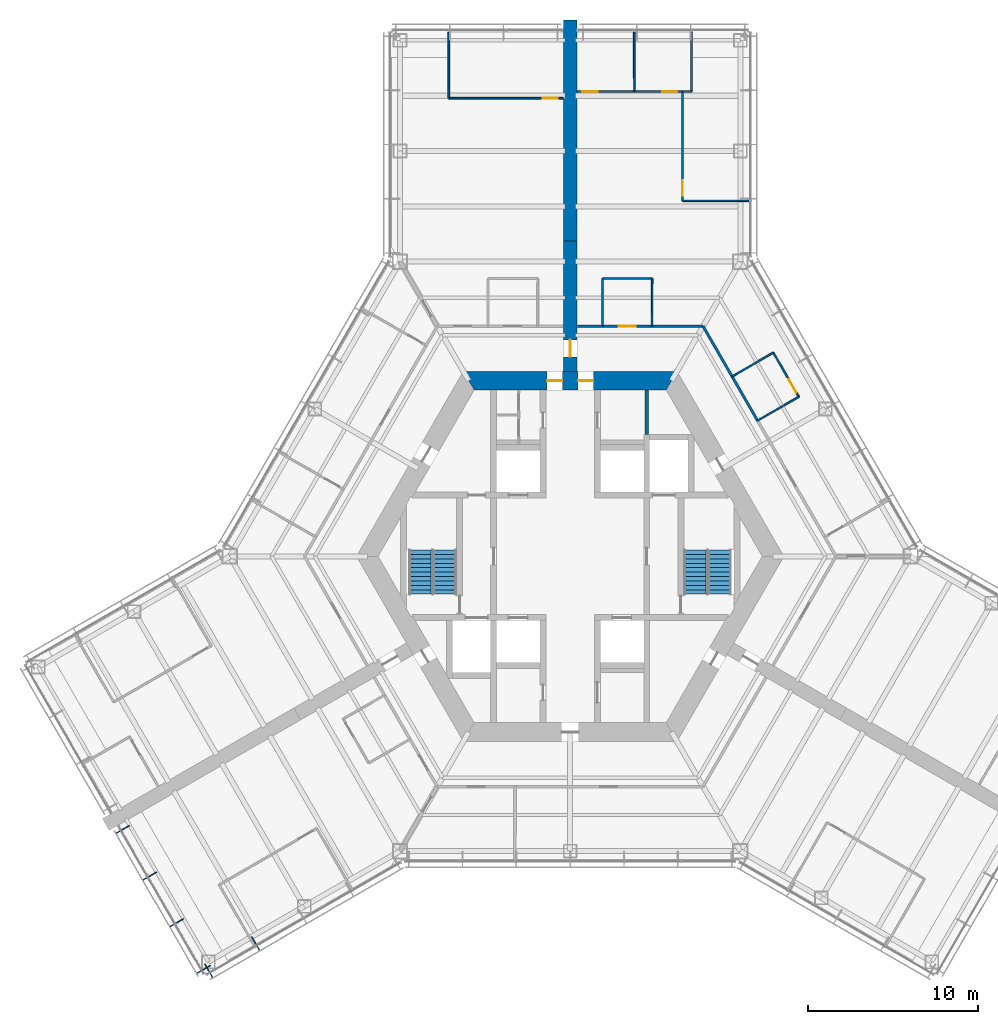
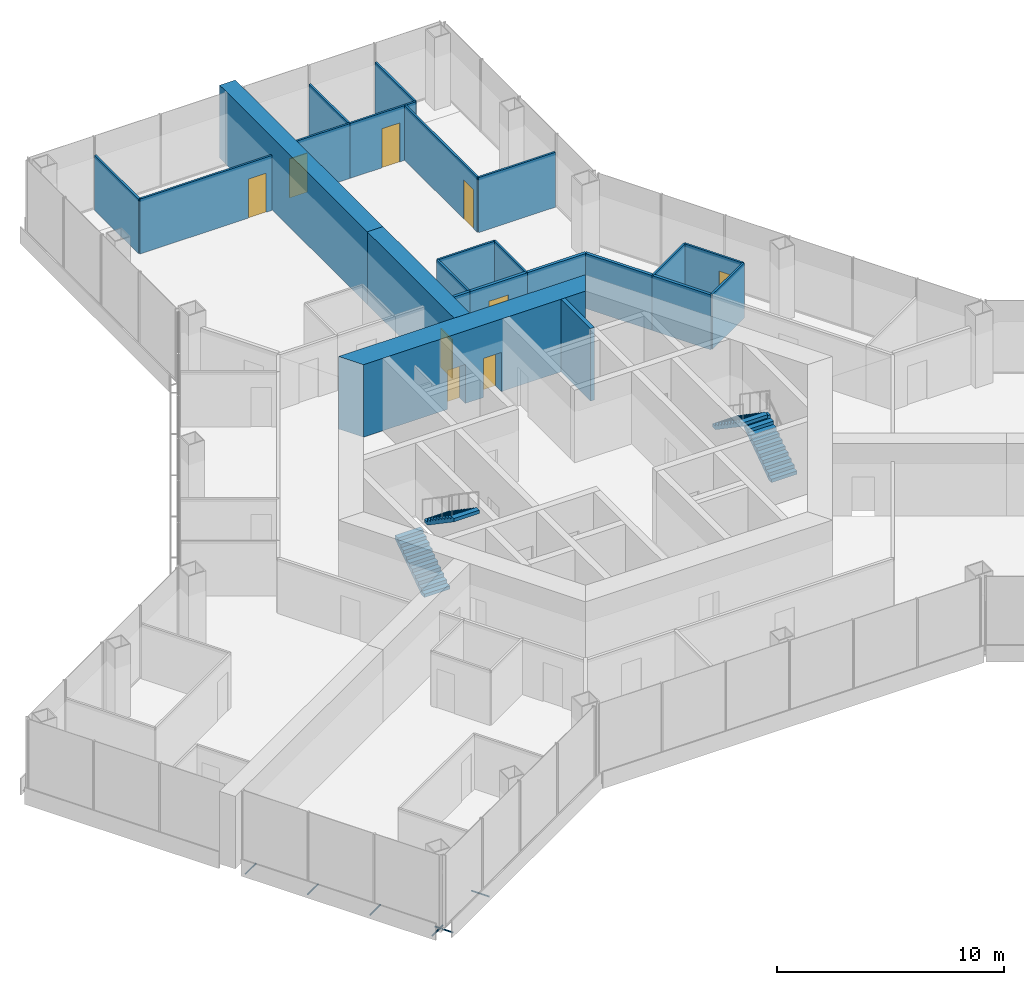
# One storey, part 15 of 18: 24 walls, 9 doors, 6 discrete accessories, 4 stair flights, 9 openings, 2 elements without a shape of their own.
"""IFC4 building model written with IfcOpenShell, lengths in metres."""

from ifc_helpers import new_model, si_unit, direction, frame, frame_2d, origin, origin_2d, place, context, subcontext, project, spatial, polyline, rectangle, hollow_circle, outline, extrude, material, layer, layer_set, material_profile, profile_set, type_object, element, fill, aggregate, save


model = new_model("IFC4")

# Units and contexts
model_context = context("Model", 3, precision=1e-05, world=origin(), true_north=direction((0.0, 1.0)))
body_context = subcontext(model_context, "Body", "Model", "MODEL_VIEW")
ifc_project = project(units=[si_unit("LENGTHUNIT", "METRE"), si_unit("AREAUNIT", "SQUARE_METRE"), si_unit("VOLUMEUNIT", "CUBIC_METRE"), si_unit("PLANEANGLEUNIT", "RADIAN"), si_unit("MASSUNIT", "GRAM", prefix="KILO")], contexts=[model_context])

# Site, building, storey
site_placement = place(None, origin())
site = spatial("IfcSite", under=ifc_project, at=site_placement, CompositionType="ELEMENT")
building_placement = place(site_placement, origin())
building = spatial("IfcBuilding", under=site, at=building_placement, Name="Kasaneha Research Tower", CompositionType="ELEMENT")
storey_placement = place(building_placement, frame((0.0, 0.0, 80.699951171875)))
storey = spatial("IfcBuildingStorey", under=building, at=storey_placement, Name="L20", CompositionType="ELEMENT", Elevation=80.699951171875)

# Wall, openings, doors
ifc_material_1 = material(Name="Concrete Fc80", Category="concrete")
ifc_layer_1 = layer(ifc_material_1, 1.10009765625)
ifc_layer_set_1 = layer_set([ifc_layer_1], Name="Core wall 1100 Fc80")
wall_type_1 = type_object("IfcWallType", Name="Core wall 1100 Fc80", PredefinedType="SHEAR", material=ifc_layer_set_1)
wall_1_placement = place(storey_placement, frame((5.961181640625, 10.324951171875, 0.0), z_axis=(0.0, 0.0, 1.0), x_axis=(-1.0, 0.0, 0.0)))
wall_1 = element("IfcWall", 1, at=wall_1_placement, inside=storey, type_object=wall_type_1, Name="Core wall 090 L20", PredefinedType="SHEAR", context=body_context, shape_type="SweptSolid", body=[
    extrude(outline(polyline([(-0.317626953125, -0.550048828125), (4.5986328125, -0.550048828125), (5.49853515625, -0.550048828125), (6.423583984375, -0.550048828125), (7.323486328125, -0.550048828125), (12.239990234375, -0.550048828125), (11.604736328125, 0.550048828125), (7.323486328125, 0.550048828125), (6.423583984375, 0.550048828125), (5.49853515625, 0.550048828125), (4.5986328125, 0.550048828125), (0.317626953125, 0.550048828125), (-0.317626953125, -0.550048828125)])), origin(), (0.0, 0.0, 1.0), 3.900146484375),
])
opening_1_placement = place(wall_1_placement, frame((6.423583984375, 0.0, 0.0)))
opening_1 = element("IfcOpeningElement", 2, at=opening_1_placement, cuts=wall_1, Name="Opening L20-D01", PredefinedType="OPENING", context=body_context, shape_type="SweptSolid", body=[
    extrude(rectangle(XDim=0.89990234375, YDim=2.10009765625, at=frame_2d((0.449951171875, 1.050048828125))), frame((0.0, 0.56005859375, 0.0), z_axis=(0.0, -1.0, 0.0), x_axis=(1.0, 0.0, 0.0)), (0.0, 0.0, 1.0), 1.1201171875),
])
opening_2_placement = place(wall_1_placement, frame((4.5986328125, 0.0, 0.0)))
opening_2 = element("IfcOpeningElement", 3, at=opening_2_placement, cuts=wall_1, Name="Opening L20-D02", PredefinedType="OPENING", context=body_context, shape_type="SweptSolid", body=[
    extrude(rectangle(XDim=0.89990234375, YDim=2.10009765625, at=frame_2d((0.449951171875, 1.050048828125))), frame((0.0, 0.56005859375, 0.0), z_axis=(0.0, -1.0, 0.0), x_axis=(1.0, 0.0, 0.0)), (0.0, 0.0, 1.0), 1.1201171875),
])
ifc_material_2 = material(Name="Steel", Category="steel")
door_type_1 = type_object("IfcDoorType", Name="Toilet door FD20 900x2100", OperationType="NOTDEFINED", PredefinedType="DOOR", material=ifc_material_2)
door_1_placement = place(opening_1_placement, origin())
door_1 = element("IfcDoor", 4, at=door_1_placement, inside=storey, type_object=door_type_1, Name="Core door north 1 L20-D01", OperationType="SINGLE_SWING_RIGHT", OverallHeight=2.10009765625, OverallWidth=0.89990234375, PredefinedType="DOOR", context=body_context, shape_type="SweptSolid", body=[
    extrude(rectangle(XDim=0.89990234375, YDim=2.10009765625, at=frame_2d((0.449951171875, 1.050048828125))), frame((0.0, 0.02490234375, 0.0), z_axis=(0.0, -1.0, 0.0), x_axis=(1.0, 0.0, 0.0)), (0.0, 0.0, 1.0), 0.050048828125),
])
fill(opening_1, door_1)
door_2_placement = place(opening_2_placement, origin())
door_2 = element("IfcDoor", 5, at=door_2_placement, inside=storey, type_object=door_type_1, Name="Core door north 2 L20-D02", OperationType="SINGLE_SWING_LEFT", OverallHeight=2.10009765625, OverallWidth=0.89990234375, PredefinedType="DOOR", context=body_context, shape_type="SweptSolid", body=[
    extrude(rectangle(XDim=0.89990234375, YDim=2.10009765625, at=frame_2d((0.449951171875, 1.050048828125))), frame((0.0, 0.02490234375, 0.0), z_axis=(0.0, -1.0, 0.0), x_axis=(1.0, 0.0, 0.0)), (0.0, 0.0, 1.0), 0.050048828125),
])
fill(opening_2, door_2)

# Walls
ifc_material_3 = material(Name="Gypsum board on steel studs, one layer each side", Category="steel")
ifc_layer_2 = layer(ifc_material_3, 0.10009765625)
ifc_layer_set_2 = layer_set([ifc_layer_2], Name="Office partition 100")
wall_type_2 = type_object("IfcWallType", Name="Office partition 100", PredefinedType="PARTITIONING", material=ifc_layer_set_2)
wall_2_placement = place(storey_placement, frame((1.89990234375, 16.324951171875, 0.0), z_axis=(0.0, 0.0, 1.0), x_axis=(1.0, 0.0, 0.0)))
element("IfcWall", 6, at=wall_2_placement, inside=storey, type_object=wall_type_2, Name="Office partition FAE08 L20", PredefinedType="PARTITIONING", context=body_context, shape_type="SweptSolid", body=[
    extrude(rectangle(XDim=2.9169921875, YDim=0.10009765625, at=frame_2d((1.45849609375, 0.0))), origin(), (0.0, 0.0, 1.0), 2.949951171875),
])
for number, where, z_axis, x_axis, name in (
    (7, (1.904541015625, 13.52490234375, 0.0), (0.0, 0.0, 1.0), (-0.001656637364, 0.999998627775, 0.0), "Office partition FAE09 L20"),
    (8, (4.81689453125, 16.324951171875, 0.0), (0.0, 0.0, 1.0), (-0.001569446145, -0.999998768419, 0.0), "Office partition FAE10 L20"),
    (9, (9.51513671875, 10.569091796875, 0.0), (0.0, 0.0, 1.0), (0.865255114713, 0.501331812737, 0.0), "Office partition FAE11 L20"),
):
    element("IfcWall", number, at=place(storey_placement, frame(where, z_axis=z_axis, x_axis=x_axis)), inside=storey, type_object=wall_type_2, Name=name, PredefinedType="PARTITIONING", context=body_context, shape_type="SweptSolid", body=[
        extrude(rectangle(XDim=2.800048828125, YDim=0.10009765625, at=frame_2d((1.39990234375, 0.0))), origin(), (0.0, 0.0, 1.0), 2.949951171875),
    ])

# Wall, opening, door
wall_3_placement = place(storey_placement, frame((11.93798828125, 11.972900390625, 0.0), z_axis=(0.0, 0.0, 1.0), x_axis=(0.50002537861, -0.866010750942, 0.0)))
wall_3 = element("IfcWall", 10, at=wall_3_placement, inside=storey, type_object=wall_type_2, Name="Office partition FAE12 L20", PredefinedType="PARTITIONING", context=body_context, shape_type="SweptSolid", body=[
    extrude(rectangle(XDim=2.999755859375, YDim=0.10009765625, at=frame_2d((1.5, 0.0))), origin(), (0.0, 0.0, 1.0), 2.949951171875),
])
opening_3_placement = place(wall_3_placement, frame((1.800048828125, 0.0, 0.0)))
opening_3 = element("IfcOpeningElement", 11, at=opening_3_placement, cuts=wall_3, Name="Opening L20-D27", PredefinedType="OPENING", context=body_context, shape_type="SweptSolid", body=[
    extrude(rectangle(XDim=0.89990234375, YDim=2.10009765625, at=frame_2d((0.449951171875, 1.050048828125))), frame((0.0, 0.06005859375, 0.0), z_axis=(0.0, -1.0, 0.0), x_axis=(1.0, 0.0, 0.0)), (0.0, 0.0, 1.0), 0.1201171875),
])
ifc_material_4 = material(Name="Timber veneer", Category="wood")
door_type_2 = type_object("IfcDoorType", Name="Office door 900x2100", OperationType="SINGLE_SWING_LEFT", PredefinedType="DOOR", material=ifc_material_4)
door_3_placement = place(opening_3_placement, origin())
door_3 = element("IfcDoor", 12, at=door_3_placement, inside=storey, type_object=door_type_2, Name="Pantry door L20-D27", OperationType="SINGLE_SWING_RIGHT", OverallHeight=2.10009765625, OverallWidth=0.89990234375, PredefinedType="DOOR", context=body_context, shape_type="SweptSolid", body=[
    extrude(rectangle(XDim=0.89990234375, YDim=2.10009765625, at=frame_2d((0.449951171875, 1.050048828125))), frame((0.0, 0.02490234375, 0.0), z_axis=(0.0, -1.0, 0.0), x_axis=(1.0, 0.0, 0.0)), (0.0, 0.0, 1.0), 0.050048828125),
])
fill(opening_3, door_3)

# Walls
wall_4_placement = place(storey_placement, frame((13.43798828125, 9.375, 0.0), z_axis=(0.0, 0.0, 1.0), x_axis=(-0.866817750494, -0.498625097071, 0.0)))
element("IfcWall", 13, at=wall_4_placement, inside=storey, type_object=wall_type_2, Name="Office partition FAE13 L20", PredefinedType="PARTITIONING", context=body_context, shape_type="SweptSolid", body=[
    extrude(rectangle(XDim=2.80029296875, YDim=0.10009765625, at=frame_2d((1.400146484375, 0.0))), origin(), (0.0, 0.0, 1.0), 2.949951171875),
])
wall_5_placement = place(storey_placement, frame((3.771728515625, 27.320556640625, 0.0), z_axis=(0.0, 0.0, 1.0), x_axis=(-0.001473269062, 0.999998914739, 0.0)))
element("IfcWall", 14, at=wall_5_placement, inside=storey, type_object=wall_type_2, Name="Office partition FAE14 L20", PredefinedType="PARTITIONING", context=body_context, shape_type="SweptSolid", body=[
    extrude(rectangle(XDim=3.47998046875, YDim=0.10009765625, at=frame_2d((1.739990234375, 0.0))), origin(), (0.0, 0.0, 1.0), 2.949951171875),
])
wall_6_placement = place(storey_placement, frame((7.13330078125, 27.320556640625, 0.0), z_axis=(0.0, 0.0, 1.0), x_axis=(-1.0, 0.0, 0.0)))
element("IfcWall", 15, at=wall_6_placement, inside=storey, type_object=wall_type_2, Name="Office partition FAE15 L20", PredefinedType="PARTITIONING", context=body_context, shape_type="SweptSolid", body=[
    extrude(rectangle(XDim=0.538330078125, YDim=0.10009765625, at=frame_2d((0.26904296875, 0.0))), origin(), (0.0, 0.0, 1.0), 2.949951171875),
])
wall_7_placement = place(storey_placement, frame((7.13330078125, 30.800537109375, 0.0), z_axis=(0.0, 0.0, 1.0), x_axis=(0.0, -1.0, 0.0)))
element("IfcWall", 16, at=wall_7_placement, inside=storey, type_object=wall_type_2, Name="Office partition FAE16 L20", PredefinedType="PARTITIONING", context=body_context, shape_type="SweptSolid", body=[
    extrude(rectangle(XDim=3.47998046875, YDim=0.10009765625, at=frame_2d((1.739990234375, 0.0))), origin(), (0.0, 0.0, 1.0), 2.949951171875),
])

# Wall, opening, door
wall_8_placement = place(storey_placement, frame((6.6044921875, 27.320556640625, 0.0), z_axis=(0.0, 0.0, 1.0), x_axis=(-0.999998801045, 0.001548518446, 0.0)))
wall_8 = element("IfcWall", 17, at=wall_8_placement, inside=storey, type_object=wall_type_2, Name="Office partition FAE17 L20", PredefinedType="PARTITIONING", context=body_context, shape_type="SweptSolid", body=[
    extrude(rectangle(XDim=2.837890625, YDim=0.10009765625, at=frame_2d((1.4189453125, 0.0))), origin(), (0.0, 0.0, 1.0), 2.949951171875),
])
opening_4_placement = place(wall_8_placement, frame((0.300048828125, 0.0, 0.0)))
opening_4 = element("IfcOpeningElement", 18, at=opening_4_placement, cuts=wall_8, Name="Opening L20-D28", PredefinedType="OPENING", context=body_context, shape_type="SweptSolid", body=[
    extrude(rectangle(XDim=0.89990234375, YDim=2.10009765625, at=frame_2d((0.449951171875, 1.050048828125))), frame((0.0, 0.06005859375, 0.0), z_axis=(0.0, -1.0, 0.0), x_axis=(1.0, 0.0, 0.0)), (0.0, 0.0, 1.0), 0.1201171875),
])
door_4_placement = place(opening_4_placement, origin())
door_4 = element("IfcDoor", 19, at=door_4_placement, inside=storey, type_object=door_type_2, Name="Manager's office door L20-D28", OperationType="SINGLE_SWING_LEFT", OverallHeight=2.10009765625, OverallWidth=0.89990234375, PredefinedType="DOOR", context=body_context, shape_type="SweptSolid", body=[
    extrude(rectangle(XDim=0.89990234375, YDim=2.10009765625, at=frame_2d((0.449951171875, 1.050048828125))), frame((0.0, 0.02490234375, 0.0), z_axis=(0.0, -1.0, 0.0), x_axis=(1.0, 0.0, 0.0)), (0.0, 0.0, 1.0), 0.050048828125),
])
fill(opening_4, door_4)

wall_9_placement = place(storey_placement, frame((3.7666015625, 27.324951171875, 0.0), z_axis=(0.0, 0.0, 1.0), x_axis=(-0.999999137883, -0.001313100706, 0.0)))
wall_9 = element("IfcWall", 20, at=wall_9_placement, inside=storey, type_object=wall_type_2, Name="Office partition FAE18 L20", PredefinedType="PARTITIONING", context=body_context, shape_type="SweptSolid", body=[
    extrude(rectangle(XDim=3.3466796875, YDim=0.10009765625, at=frame_2d((1.67333984375, 0.0))), origin(), (0.0, 0.0, 1.0), 2.949951171875),
])
opening_5_placement = place(wall_9_placement, frame((2.146728515625, 0.0, 0.0)))
opening_5 = element("IfcOpeningElement", 21, at=opening_5_placement, cuts=wall_9, Name="Opening L20-D29", PredefinedType="OPENING", context=body_context, shape_type="SweptSolid", body=[
    extrude(rectangle(XDim=0.89990234375, YDim=2.10009765625, at=frame_2d((0.449951171875, 1.050048828125))), frame((0.0, 0.06005859375, 0.0), z_axis=(0.0, -1.0, 0.0), x_axis=(1.0, 0.0, 0.0)), (0.0, 0.0, 1.0), 0.1201171875),
])
door_5_placement = place(opening_5_placement, origin())
door_5 = element("IfcDoor", 22, at=door_5_placement, inside=storey, type_object=door_type_2, Name="Manager's office door L20-D29", OperationType="SINGLE_SWING_RIGHT", OverallHeight=2.10009765625, OverallWidth=0.89990234375, PredefinedType="DOOR", context=body_context, shape_type="SweptSolid", body=[
    extrude(rectangle(XDim=0.89990234375, YDim=2.10009765625, at=frame_2d((0.449951171875, 1.050048828125))), frame((0.0, 0.02490234375, 0.0), z_axis=(0.0, -1.0, 0.0), x_axis=(1.0, 0.0, 0.0)), (0.0, 0.0, 1.0), 0.050048828125),
])
fill(opening_5, door_5)

wall_10_placement = place(storey_placement, frame((6.60009765625, 20.89111328125, 0.0), z_axis=(0.0, 0.0, 1.0), x_axis=(0.000683500885, 0.999999766413, 0.0)))
wall_10 = element("IfcWall", 23, at=wall_10_placement, inside=storey, type_object=wall_type_2, Name="Office partition FAE19 L20", PredefinedType="PARTITIONING", context=body_context, shape_type="SweptSolid", body=[
    extrude(rectangle(XDim=6.429443359375, YDim=0.10009765625, at=frame_2d((3.21484375, 0.0))), origin(), (0.0, 0.0, 1.0), 2.949951171875),
])
opening_6_placement = place(wall_10_placement, frame((0.300048828125, 0.0, 0.0)))
opening_6 = element("IfcOpeningElement", 24, at=opening_6_placement, cuts=wall_10, Name="Opening L20-D30", PredefinedType="OPENING", context=body_context, shape_type="SweptSolid", body=[
    extrude(rectangle(XDim=0.89990234375, YDim=2.10009765625, at=frame_2d((0.449951171875, 1.050048828125))), frame((0.0, 0.06005859375, 0.0), z_axis=(0.0, -1.0, 0.0), x_axis=(1.0, 0.0, 0.0)), (0.0, 0.0, 1.0), 0.1201171875),
])
door_6_placement = place(opening_6_placement, origin())
door_6 = element("IfcDoor", 25, at=door_6_placement, inside=storey, type_object=door_type_2, Name="Meeting room door L20-D30", OperationType="SINGLE_SWING_LEFT", OverallHeight=2.10009765625, OverallWidth=0.89990234375, PredefinedType="DOOR", context=body_context, shape_type="SweptSolid", body=[
    extrude(rectangle(XDim=0.89990234375, YDim=2.10009765625, at=frame_2d((0.449951171875, 1.050048828125))), frame((0.0, 0.02490234375, 0.0), z_axis=(0.0, -1.0, 0.0), x_axis=(1.0, 0.0, 0.0)), (0.0, 0.0, 1.0), 0.050048828125),
])
fill(opening_6, door_6)

# Walls
wall_11_placement = place(storey_placement, frame((10.5, 20.89111328125, 0.0), z_axis=(0.0, 0.0, 1.0), x_axis=(-1.0, 0.0, 0.0)))
element("IfcWall", 26, at=wall_11_placement, inside=storey, type_object=wall_type_2, Name="Office partition FAE20 L20", PredefinedType="PARTITIONING", context=body_context, shape_type="SweptSolid", body=[
    extrude(rectangle(XDim=3.89990234375, YDim=0.10009765625, at=frame_2d((1.949951171875, 0.0))), origin(), (0.0, 0.0, 1.0), 2.949951171875),
])
wall_12_placement = place(storey_placement, frame((-7.13330078125, 26.92041015625, 0.0), z_axis=(0.0, 0.0, 1.0), x_axis=(0.0, 1.0, 0.0)))
element("IfcWall", 27, at=wall_12_placement, inside=storey, type_object=wall_type_2, Name="Office partition FAW07 L20", PredefinedType="PARTITIONING", context=body_context, shape_type="SweptSolid", body=[
    extrude(rectangle(XDim=3.880126953125, YDim=0.10009765625, at=frame_2d((1.93994140625, 0.0))), origin(), (0.0, 0.0, 1.0), 2.949951171875),
])

# Wall, opening, door
wall_13_placement = place(storey_placement, frame((-0.419921875, 26.92041015625, 0.0), z_axis=(0.0, 0.0, 1.0), x_axis=(-1.0, 0.0, 0.0)))
wall_13 = element("IfcWall", 28, at=wall_13_placement, inside=storey, type_object=wall_type_2, Name="Office partition FAW08 L20", PredefinedType="PARTITIONING", context=body_context, shape_type="SweptSolid", body=[
    extrude(rectangle(XDim=6.71337890625, YDim=0.10009765625, at=frame_2d((3.356689453125, 0.0))), origin(), (0.0, 0.0, 1.0), 2.949951171875),
])
opening_7_placement = place(wall_13_placement, frame((0.300048828125, 0.0, 0.0)))
opening_7 = element("IfcOpeningElement", 29, at=opening_7_placement, cuts=wall_13, Name="Opening L20-D34", PredefinedType="OPENING", context=body_context, shape_type="SweptSolid", body=[
    extrude(rectangle(XDim=0.89990234375, YDim=2.10009765625, at=frame_2d((0.449951171875, 1.050048828125))), frame((0.0, 0.06005859375, 0.0), z_axis=(0.0, -1.0, 0.0), x_axis=(1.0, 0.0, 0.0)), (0.0, 0.0, 1.0), 0.1201171875),
])
door_7_placement = place(opening_7_placement, origin())
door_7 = element("IfcDoor", 30, at=door_7_placement, inside=storey, type_object=door_type_2, Name="Meeting room door L20-D34", OperationType="SINGLE_SWING_LEFT", OverallHeight=2.10009765625, OverallWidth=0.89990234375, PredefinedType="DOOR", context=body_context, shape_type="SweptSolid", body=[
    extrude(rectangle(XDim=0.89990234375, YDim=2.10009765625, at=frame_2d((0.449951171875, 1.050048828125))), frame((0.0, 0.02490234375, 0.0), z_axis=(0.0, -1.0, 0.0), x_axis=(1.0, 0.0, 0.0)), (0.0, 0.0, 1.0), 0.050048828125),
])
fill(opening_7, door_7)

# Wall
ifc_material_5 = material(Name="Concrete block", Category="concrete")
ifc_layer_3 = layer(ifc_material_5, 0.199951171875)
ifc_layer_set_3 = layer_set([ifc_layer_3], Name="Riser enclosure wall 200")
wall_type_3 = type_object("IfcWallType", Name="Riser enclosure wall 200", PredefinedType="STANDARD", material=ifc_layer_set_3)
wall_14_placement = place(storey_placement, frame((4.5, 7.175048828125, 0.0), z_axis=(0.0, 0.0, 1.0), x_axis=(0.0, 1.0, 0.0)))
element("IfcWall", 31, at=wall_14_placement, inside=storey, type_object=wall_type_3, Name="Riser enclosure wall L20", PredefinedType="STANDARD", context=body_context, shape_type="SweptSolid", body=[
    extrude(rectangle(XDim=2.599853515625, YDim=0.199951171875, at=frame_2d((1.2998046875, 0.0))), origin(), (0.0, 0.0, 1.0), 3.900146484375),
])

# Wall, opening, door
ifc_material_6 = material(Name="Concrete Fc80", Category="concrete")
ifc_layer_4 = layer(ifc_material_6, 0.800048828125)
ifc_layer_set_4 = layer_set([ifc_layer_4], Name="Spine wall 800 Fc80")
wall_type_4 = type_object("IfcWallType", Name="Spine wall 800 Fc80", PredefinedType="SHEAR", material=ifc_layer_set_4)
wall_15_placement = place(storey_placement, frame((0.0, 10.875, 0.0), z_axis=(0.0, 0.0, 1.0), x_axis=(0.0, 1.0, 0.0)))
wall_15 = element("IfcWall", 32, at=wall_15_placement, inside=storey, type_object=wall_type_4, Name="Spine wall A L20", PredefinedType="SHEAR", context=body_context, shape_type="SweptSolid", body=[
    extrude(rectangle(XDim=7.6455078125, YDim=0.800048828125, at=frame_2d((3.82275390625, 0.0))), origin(), (0.0, 0.0, 1.0), 3.900146484375),
])
opening_8_placement = place(wall_15_placement, frame((0.85009765625, 0.0, 0.0)))
opening_8 = element("IfcOpeningElement", 33, at=opening_8_placement, cuts=wall_15, Name="Opening L20-D17", PredefinedType="OPENING", context=body_context, shape_type="SweptSolid", body=[
    extrude(rectangle(XDim=1.0, YDim=2.10009765625, at=frame_2d((0.5, 1.050048828125))), frame((0.0, 0.41015625, 0.0), z_axis=(0.0, -1.0, 0.0), x_axis=(1.0, 0.0, 0.0)), (0.0, 0.0, 1.0), 0.820068359375),
])
ifc_material_7 = material(Name="Steel", Category="steel")
door_type_3 = type_object("IfcDoorType", Name="Specified fire door FD60 1000x2100", OperationType="NOTDEFINED", PredefinedType="DOOR", material=ifc_material_7)
door_8_placement = place(opening_8_placement, origin())
door_8 = element("IfcDoor", 34, at=door_8_placement, inside=storey, type_object=door_type_3, Name="Spine doorway A L20-D17", OperationType="SINGLE_SWING_LEFT", OverallHeight=2.10009765625, OverallWidth=1.0, PredefinedType="DOOR", context=body_context, shape_type="SweptSolid", body=[
    extrude(rectangle(XDim=1.0, YDim=2.10009765625, at=frame_2d((0.5, 1.050048828125))), frame((0.0, 0.02490234375, 0.0), z_axis=(0.0, -1.0, 0.0), x_axis=(1.0, 0.0, 0.0)), (0.0, 0.0, 1.0), 0.050048828125),
])
fill(opening_8, door_8)

# Wall
wall_16_placement = place(storey_placement, frame((0.0, 18.5205078125, 0.0), z_axis=(0.0, 0.0, 1.0), x_axis=(0.0, 1.0, 0.0)))
element("IfcWall", 35, at=wall_16_placement, inside=storey, type_object=wall_type_4, Name="Spine wall A wing L20", PredefinedType="SHEAR", context=body_context, shape_type="SweptSolid", body=[
    extrude(rectangle(XDim=13.0, YDim=0.800048828125, at=frame_2d((6.5, 0.0))), origin(), (0.0, 0.0, 1.0), 3.900146484375),
])

# Wall, opening, door
ifc_material_8 = material(Name="Gypsum board on steel studs, two layers each side", Category="steel")
ifc_layer_5 = layer(ifc_material_8, 0.14990234375)
ifc_layer_set_5 = layer_set([ifc_layer_5], Name="Suite partition 150")
wall_type_5 = type_object("IfcWallType", Name="Suite partition 150", PredefinedType="PARTITIONING", material=ifc_layer_set_5)
wall_17_placement = place(storey_placement, frame((1.89501953125, 13.52490234375, 0.0), z_axis=(0.0, 0.0, 1.0), x_axis=(1.0, 0.0, 0.0)))
wall_17 = element("IfcWall", 36, at=wall_17_placement, inside=storey, type_object=wall_type_5, Name="Suite partition FAE01 L20", PredefinedType="PARTITIONING", context=body_context, shape_type="SweptSolid", body=[
    extrude(rectangle(XDim=2.927001953125, YDim=0.14990234375, at=frame_2d((1.46337890625, 0.0))), origin(), (0.0, 0.0, 1.0), 2.949951171875),
])
opening_9_placement = place(wall_17_placement, frame((0.96337890625, 0.0, 0.0)))
opening_9 = element("IfcOpeningElement", 37, at=opening_9_placement, cuts=wall_17, Name="Opening L20-D25", PredefinedType="OPENING", context=body_context, shape_type="SweptSolid", body=[
    extrude(rectangle(XDim=1.0, YDim=2.10009765625, at=frame_2d((0.5, 1.050048828125))), frame((0.0, 0.0849609375, 0.0), z_axis=(0.0, -1.0, 0.0), x_axis=(1.0, 0.0, 0.0)), (0.0, 0.0, 1.0), 0.169921875),
])
ifc_material_9 = material(Name="Steel", Category="steel")
door_type_4 = type_object("IfcDoorType", Name="Suite entrance door FD60 1000x2100", OperationType="NOTDEFINED", PredefinedType="DOOR", material=ifc_material_9)
door_9_placement = place(opening_9_placement, origin())
door_9 = element("IfcDoor", 38, at=door_9_placement, inside=storey, type_object=door_type_4, Name="Suite entrance door L20-D25", OperationType="SINGLE_SWING_LEFT", OverallHeight=2.10009765625, OverallWidth=1.0, PredefinedType="DOOR", context=body_context, shape_type="SweptSolid", body=[
    extrude(rectangle(XDim=1.0, YDim=2.10009765625, at=frame_2d((0.5, 1.050048828125))), frame((0.0, 0.02490234375, 0.0), z_axis=(0.0, -1.0, 0.0), x_axis=(1.0, 0.0, 0.0)), (0.0, 0.0, 1.0), 0.050048828125),
])
fill(opening_9, door_9)

# Walls
wall_18_placement = place(storey_placement, frame((9.510498046875, 10.577392578125, 0.0), z_axis=(0.0, 0.0, 1.0), x_axis=(0.499977562641, -0.866038357612, 0.0)))
element("IfcWall", 39, at=wall_18_placement, inside=storey, type_object=wall_type_5, Name="Suite partition FAE02 L20", PredefinedType="PARTITIONING", context=body_context, shape_type="SweptSolid", body=[
    extrude(rectangle(XDim=3.010009765625, YDim=0.14990234375, at=frame_2d((1.5048828125, 0.0))), origin(), (0.0, 0.0, 1.0), 2.949951171875),
])
wall_19_placement = place(storey_placement, frame((0.419921875, 13.52490234375, 0.0), z_axis=(0.0, 0.0, 1.0), x_axis=(1.0, 0.0, 0.0)))
element("IfcWall", 40, at=wall_19_placement, inside=storey, type_object=wall_type_5, Name="Suite partition FAE04 L20", PredefinedType="PARTITIONING", context=body_context, shape_type="SweptSolid", body=[
    extrude(rectangle(XDim=1.484619140625, YDim=0.14990234375, at=frame_2d((0.7421875, 0.0))), origin(), (0.0, 0.0, 1.0), 2.949951171875),
])
wall_20_placement = place(storey_placement, frame((4.8125, 13.52490234375, 0.0), z_axis=(0.0, 0.0, 1.0), x_axis=(1.0, 0.0, 0.0)))
element("IfcWall", 41, at=wall_20_placement, inside=storey, type_object=wall_type_5, Name="Suite partition FAE05 L20", PredefinedType="PARTITIONING", context=body_context, shape_type="SweptSolid", body=[
    extrude(rectangle(XDim=2.99609375, YDim=0.14990234375, at=frame_2d((1.498046875, 0.0))), origin(), (0.0, 0.0, 1.0), 2.949951171875),
])
wall_21_placement = place(storey_placement, frame((7.80859375, 13.52490234375, 0.0), z_axis=(0.0, 0.0, 1.0), x_axis=(0.500001088571, -0.866024775297, 0.0)))
element("IfcWall", 42, at=wall_21_placement, inside=storey, type_object=wall_type_5, Name="Suite partition FAE06 L20", PredefinedType="PARTITIONING", context=body_context, shape_type="SweptSolid", body=[
    extrude(rectangle(XDim=3.4130859375, YDim=0.14990234375, at=frame_2d((1.70654296875, 0.0))), origin(), (0.0, 0.0, 1.0), 2.949951171875),
])

# Stair, stair flights
ifc_material_10 = material(Name="Concrete Fc24", Category="concrete")
stair_type = type_object("IfcStairType", Name="Half-turn stair 22 risers", PredefinedType="HALF_TURN_STAIR", material=ifc_material_10)
stair_1_placement = place(storey_placement, origin())
stair_1 = element("IfcStair", 43, at=stair_1_placement, inside=storey, type_object=stair_type, Name="Stair 1 L20", PredefinedType="HALF_TURN_STAIR")
ifc_material_11 = material(Name="Concrete Fc24", Category="concrete")
stair_flight_type = type_object("IfcStairFlightType", Name="Stair flight 11 risers 177.3", PredefinedType="STRAIGHT", material=ifc_material_11)
stair_flight_1_placement = place(storey_placement, frame((8.824951171875, -2.22509765625, 0.0), z_axis=(0.0, 0.0, 1.0), x_axis=(0.0, 1.0, 0.0)))
stair_flight_1 = element("IfcStairFlight", 44, at=stair_flight_1_placement, type_object=stair_flight_type, Name="ST1-22R flight 1", NumberOfRisers=11, NumberOfTreads=10, PredefinedType="STRAIGHT", RiserHeight=0.177272727, TreadLength=0.26, context=body_context, shape_type="SweptSolid", body=[
    extrude(outline(polyline([(0.0, 0.0), (0.0, 0.17724609375), (0.260009765625, 0.17724609375), (0.260009765625, 0.3544921875), (0.52001953125, 0.3544921875), (0.52001953125, 0.53173828125), (0.780029296875, 0.53173828125), (0.780029296875, 0.708984375), (1.0400390625, 0.708984375), (1.0400390625, 0.886474609375), (1.300048828125, 0.886474609375), (1.300048828125, 1.063720703125), (1.56005859375, 1.063720703125), (1.56005859375, 1.240966796875), (1.820068359375, 1.240966796875), (1.820068359375, 1.418212890625), (2.080078125, 1.418212890625), (2.080078125, 1.595458984375), (2.340087890625, 1.595458984375), (2.340087890625, 1.772705078125), (2.60009765625, 1.772705078125), (2.60009765625, 1.949951171875), (2.60009765625, 1.59130859375), (0.26611328125, 0.0), (0.0, 0.0)])), frame((0.0, 0.64990234375, 0.0), z_axis=(0.0, -1.0, 0.0), x_axis=(1.0, 0.0, 0.0)), (0.0, 0.0, 1.0), 1.300048828125),
])
stair_flight_2_placement = place(storey_placement, frame((7.324951171875, 0.375, 1.949951171875), z_axis=(0.0, 0.0, 1.0), x_axis=(0.0, -1.0, 0.0)))
stair_flight_2 = element("IfcStairFlight", 45, at=stair_flight_2_placement, type_object=stair_flight_type, Name="ST1-22R flight 2", NumberOfRisers=11, NumberOfTreads=10, PredefinedType="STRAIGHT", RiserHeight=0.177272727, TreadLength=0.26, context=body_context, shape_type="SweptSolid", body=[
    extrude(outline(polyline([(0.0, 0.0), (0.0, 0.17724609375), (0.260009765625, 0.17724609375), (0.260009765625, 0.3544921875), (0.52001953125, 0.3544921875), (0.52001953125, 0.53173828125), (0.780029296875, 0.53173828125), (0.780029296875, 0.708984375), (1.0400390625, 0.708984375), (1.0400390625, 0.886474609375), (1.300048828125, 0.886474609375), (1.300048828125, 1.063720703125), (1.56005859375, 1.063720703125), (1.56005859375, 1.240966796875), (1.820068359375, 1.240966796875), (1.820068359375, 1.418212890625), (2.080078125, 1.418212890625), (2.080078125, 1.595458984375), (2.340087890625, 1.595458984375), (2.340087890625, 1.772705078125), (2.60009765625, 1.772705078125), (2.60009765625, 1.949951171875), (2.60009765625, 1.59130859375), (0.26611328125, 0.0), (0.0, 0.0)])), frame((0.0, 0.64990234375, 0.0), z_axis=(0.0, -1.0, 0.0), x_axis=(1.0, 0.0, 0.0)), (0.0, 0.0, 1.0), 1.300048828125),
])
aggregate(stair_1, [stair_flight_1, stair_flight_2])

stair_2_placement = place(storey_placement, origin())
stair_2 = element("IfcStair", 46, at=stair_2_placement, inside=storey, type_object=stair_type, Name="Stair 2 L20", PredefinedType="HALF_TURN_STAIR")
stair_flight_3_placement = place(storey_placement, frame((-8.824951171875, -2.22509765625, 0.0), z_axis=(0.0, 0.0, 1.0), x_axis=(0.0, 1.0, 0.0)))
stair_flight_3 = element("IfcStairFlight", 47, at=stair_flight_3_placement, type_object=stair_flight_type, Name="ST2-22R flight 1", NumberOfRisers=11, NumberOfTreads=10, PredefinedType="STRAIGHT", RiserHeight=0.177272727, TreadLength=0.26, context=body_context, shape_type="SweptSolid", body=[
    extrude(outline(polyline([(0.0, 0.0), (0.0, 0.17724609375), (0.260009765625, 0.17724609375), (0.260009765625, 0.3544921875), (0.52001953125, 0.3544921875), (0.52001953125, 0.53173828125), (0.780029296875, 0.53173828125), (0.780029296875, 0.708984375), (1.0400390625, 0.708984375), (1.0400390625, 0.886474609375), (1.300048828125, 0.886474609375), (1.300048828125, 1.063720703125), (1.56005859375, 1.063720703125), (1.56005859375, 1.240966796875), (1.820068359375, 1.240966796875), (1.820068359375, 1.418212890625), (2.080078125, 1.418212890625), (2.080078125, 1.595458984375), (2.340087890625, 1.595458984375), (2.340087890625, 1.772705078125), (2.60009765625, 1.772705078125), (2.60009765625, 1.949951171875), (2.60009765625, 1.59130859375), (0.26611328125, 0.0), (0.0, 0.0)])), frame((0.0, 0.64990234375, 0.0), z_axis=(0.0, -1.0, 0.0), x_axis=(1.0, 0.0, 0.0)), (0.0, 0.0, 1.0), 1.300048828125),
])
stair_flight_4_placement = place(storey_placement, frame((-7.324951171875, 0.375, 1.949951171875), z_axis=(0.0, 0.0, 1.0), x_axis=(0.0, -1.0, 0.0)))
stair_flight_4 = element("IfcStairFlight", 48, at=stair_flight_4_placement, type_object=stair_flight_type, Name="ST2-22R flight 2", NumberOfRisers=11, NumberOfTreads=10, PredefinedType="STRAIGHT", RiserHeight=0.177272727, TreadLength=0.26, context=body_context, shape_type="SweptSolid", body=[
    extrude(outline(polyline([(0.0, 0.0), (0.0, 0.17724609375), (0.260009765625, 0.17724609375), (0.260009765625, 0.3544921875), (0.52001953125, 0.3544921875), (0.52001953125, 0.53173828125), (0.780029296875, 0.53173828125), (0.780029296875, 0.708984375), (1.0400390625, 0.708984375), (1.0400390625, 0.886474609375), (1.300048828125, 0.886474609375), (1.300048828125, 1.063720703125), (1.56005859375, 1.063720703125), (1.56005859375, 1.240966796875), (1.820068359375, 1.240966796875), (1.820068359375, 1.418212890625), (2.080078125, 1.418212890625), (2.080078125, 1.595458984375), (2.340087890625, 1.595458984375), (2.340087890625, 1.772705078125), (2.60009765625, 1.772705078125), (2.60009765625, 1.949951171875), (2.60009765625, 1.59130859375), (0.26611328125, 0.0), (0.0, 0.0)])), frame((0.0, 0.64990234375, 0.0), z_axis=(0.0, -1.0, 0.0), x_axis=(1.0, 0.0, 0.0)), (0.0, 0.0, 1.0), 1.300048828125),
])
aggregate(stair_2, [stair_flight_3, stair_flight_4])

# Discrete accessories
ifc_material_12 = material(Name="Steel STK400", Category="steel")
ifc_material_profile = material_profile(ifc_material_12, hollow_circle(Radius=0.0380859375, WallThickness=0.00390625, at=origin_2d()), Name="CHS-76.3x4.0")
ifc_profile_set = profile_set([ifc_material_profile], Name="Steel STK400")
discrete_accessory_type = type_object("IfcDiscreteAccessoryType", Name="Screen bracket CHS-76.3x4.0", PredefinedType="BRACKET", material=ifc_profile_set)
discrete_accessory_1_placement = place(storey_placement, frame((-21.474853515625, -23.945556640625, -0.300048828125), z_axis=(0.500021113727, -0.866013213425, 0.0), x_axis=(0.866013213425, 0.500021113727, 0.0)))
element("IfcDiscreteAccessory", 49, at=discrete_accessory_1_placement, inside=storey, type_object=discrete_accessory_type, Name="Screen bracket 1", PredefinedType="BRACKET", context=body_context, shape_type="SweptSolid", body=[
    extrude(hollow_circle(Radius=0.0380859375, WallThickness=0.00390625, at=origin_2d()), origin(), (0.0, 0.0, 1.0), 0.919921875),
])
for number, where, z_axis, x_axis, name in (
    (50, (-18.716796875, -22.35302734375, -0.300048828125), (0.500105201737, -0.865964657013, 0.0), (0.865964657013, 0.500105201737, 0.0), "Screen bracket 2"),
    (51, (-25.88330078125, -15.809814453125, -0.300048828125), (-0.866079547155, -0.499906209203, 0.0), (0.499906209203, -0.866079547155, 0.0), "Screen bracket 1"),
):
    element("IfcDiscreteAccessory", number, at=place(storey_placement, frame(where, z_axis=z_axis, x_axis=x_axis)), inside=storey, type_object=discrete_accessory_type, Name=name, PredefinedType="BRACKET", context=body_context, shape_type="SweptSolid", body=[
        extrude(hollow_circle(Radius=0.0380859375, WallThickness=0.00390625, at=origin_2d()), origin(), (0.0, 0.0, 1.0), 0.920166015625),
    ])
discrete_accessory_2_placement = place(storey_placement, frame((-24.300048828125, -18.55224609375, -0.300048828125), z_axis=(-0.866013213425, -0.500021113727, 0.0), x_axis=(0.500021113727, -0.866013213425, 0.0)))
element("IfcDiscreteAccessory", 52, at=discrete_accessory_2_placement, inside=storey, type_object=discrete_accessory_type, Name="Screen bracket 2", PredefinedType="BRACKET", context=body_context, shape_type="SweptSolid", body=[
    extrude(hollow_circle(Radius=0.0380859375, WallThickness=0.00390625, at=origin_2d()), origin(), (0.0, 0.0, 1.0), 0.919921875),
])
for number, where, z_axis, x_axis, name in (
    (53, (-22.716552734375, -21.294677734375, -0.300048828125), (-0.866079547155, -0.499906209203, 0.0), (0.499906209203, -0.866079547155, 0.0), "Screen bracket 3"),
    (54, (-21.13330078125, -24.037109375, -0.300048828125), (-0.866079547155, -0.499906209203, 0.0), (0.499906209203, -0.866079547155, 0.0), "Screen bracket 4"),
):
    element("IfcDiscreteAccessory", number, at=place(storey_placement, frame(where, z_axis=z_axis, x_axis=x_axis)), inside=storey, type_object=discrete_accessory_type, Name=name, PredefinedType="BRACKET", context=body_context, shape_type="SweptSolid", body=[
        extrude(hollow_circle(Radius=0.0380859375, WallThickness=0.00390625, at=origin_2d()), origin(), (0.0, 0.0, 1.0), 0.920166015625),
    ])

save(model, "model.ifc")
